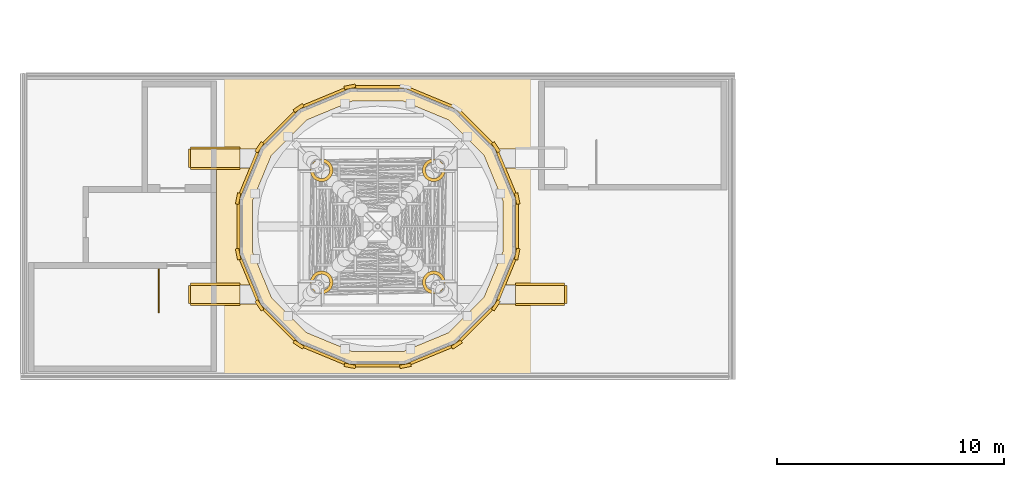
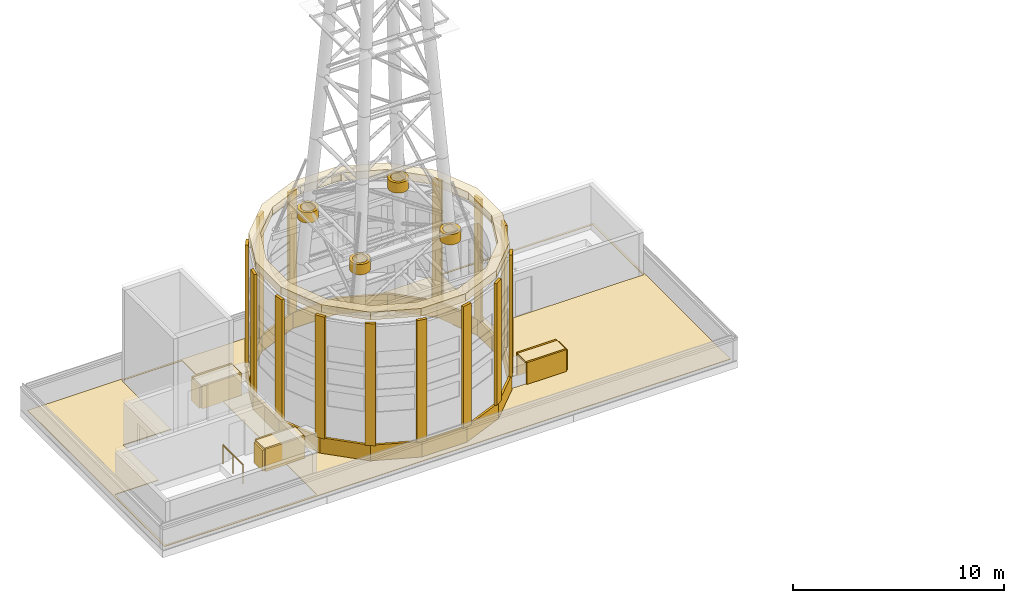
# One storey, part 34 of 36: 34 coverings, 1 railing.
"""IFC4 building model written with IfcOpenShell, lengths in metres."""

from ifc_helpers import new_model, si_unit, direction, frame, origin, origin_2d, place, context, subcontext, project, spatial, polyline, rectangle, circle, outline, extrude, material, layer, layer_set, type_object, element, save


model = new_model("IFC4")

# Units and contexts
model_context = context("Model", 3, precision=1e-05, world=origin(), true_north=direction((0.0, 1.0)))
body_context = subcontext(model_context, "Body", "Model", "MODEL_VIEW")
ifc_project = project(units=[si_unit("LENGTHUNIT", "METRE"), si_unit("AREAUNIT", "SQUARE_METRE"), si_unit("VOLUMEUNIT", "CUBIC_METRE"), si_unit("PLANEANGLEUNIT", "RADIAN"), si_unit("MASSUNIT", "GRAM", prefix="KILO")], contexts=[model_context])

# Site, building, storey
site_placement = place(None, origin())
site = spatial("IfcSite", under=ifc_project, at=site_placement, CompositionType="ELEMENT")
building_placement = place(site_placement, origin())
building = spatial("IfcBuilding", under=site, at=building_placement, Name="Ipe Terrace Towers", CompositionType="ELEMENT")
storey_placement = place(building_placement, frame((0.0, 0.0, 264.89990234375)))
storey = spatial("IfcBuildingStorey", under=building, at=storey_placement, Name="Roof", CompositionType="ELEMENT", Elevation=264.89990234375)

# Coverings
ifc_material_1 = material(Name="Concrete C50/60 precast, buff finish", Category="concrete")
ifc_layer_1 = layer(ifc_material_1, 0.1201171875)
ifc_layer_set_1 = layer_set([ifc_layer_1], Name="DRUM BASE COURSE 120")
covering_type_1 = type_object("IfcCoveringType", Name="DRUM BASE COURSE 120", PredefinedType="CLADDING", material=ifc_layer_set_1)
covering_1_placement = place(storey_placement, frame((0.0, 0.0, 0.0400390625)))
element("IfcCovering", 1, at=covering_1_placement, inside=storey, type_object=covering_type_1, Name="drum stone base course", PredefinedType="CLADDING", context=body_context, shape_type="SweptSolid", body=[
    extrude(outline(polyline([(-29.799072265625, -1.23291015625), (-30.742919921875, -3.512939453125), (-32.487060546875, -5.257080078125), (-34.76708984375, -6.200927734375), (-37.23291015625, -6.200927734375), (-39.512939453125, -5.257080078125), (-41.257080078125, -3.512939453125), (-42.200927734375, -1.23291015625), (-42.200927734375, 1.23291015625), (-41.257080078125, 3.512939453125), (-39.512939453125, 5.257080078125), (-37.23291015625, 6.200927734375), (-34.76708984375, 6.200927734375), (-32.487060546875, 5.257080078125), (-30.742919921875, 3.512939453125), (-29.799072265625, 1.23291015625), (-29.799072265625, -1.23291015625)]), holes=[polyline([(-30.844970703125, 3.445068359375), (-32.554931640625, 5.155029296875), (-34.7900390625, 6.0810546875), (-37.2099609375, 6.0810546875), (-39.445068359375, 5.155029296875), (-41.155029296875, 3.445068359375), (-42.0810546875, 1.2099609375), (-42.0810546875, -1.2099609375), (-41.155029296875, -3.445068359375), (-39.445068359375, -5.155029296875), (-37.2099609375, -6.0810546875), (-34.7900390625, -6.0810546875), (-32.554931640625, -5.155029296875), (-30.844970703125, -3.445068359375), (-29.9189453125, -1.2099609375), (-29.9189453125, 1.2099609375), (-30.844970703125, 3.445068359375)])]), origin(), (0.0, 0.0, 1.0), 0.900146484375),
])
ifc_material_2 = material(Name="Concrete C50/60 precast, buff finish", Category="concrete")
ifc_layer_2 = layer(ifc_material_2, 0.449951171875)
ifc_layer_set_2 = layer_set([ifc_layer_2], Name="DRUM CORNICE 450")
covering_type_2 = type_object("IfcCoveringType", Name="DRUM CORNICE 450", PredefinedType="CLADDING", material=ifc_layer_set_2)
covering_2_placement = place(storey_placement, frame((0.0, 0.0, 8.110107421875)))
element("IfcCovering", 2, at=covering_2_placement, inside=storey, type_object=covering_type_2, Name="drum stone cornice", PredefinedType="CLADDING", context=body_context, shape_type="SweptSolid", body=[
    extrude(outline(polyline([(-29.9189453125, -1.2099609375), (-30.844970703125, -3.445068359375), (-32.554931640625, -5.155029296875), (-34.7900390625, -6.0810546875), (-37.2099609375, -6.0810546875), (-39.445068359375, -5.155029296875), (-41.155029296875, -3.445068359375), (-42.0810546875, -1.2099609375), (-42.0810546875, 1.2099609375), (-41.155029296875, 3.445068359375), (-39.445068359375, 5.155029296875), (-37.2099609375, 6.0810546875), (-34.7900390625, 6.0810546875), (-32.554931640625, 5.155029296875), (-30.844970703125, 3.445068359375), (-29.9189453125, 1.2099609375), (-29.9189453125, -1.2099609375)]), holes=[polyline([(-31.31103515625, 3.133056640625), (-32.866943359375, 4.68896484375), (-34.89990234375, 5.531005859375), (-37.10009765625, 5.531005859375), (-39.133056640625, 4.68896484375), (-40.68896484375, 3.133056640625), (-41.531005859375, 1.10009765625), (-41.531005859375, -1.10009765625), (-40.68896484375, -3.133056640625), (-39.133056640625, -4.68896484375), (-37.10009765625, -5.531005859375), (-34.89990234375, -5.531005859375), (-32.866943359375, -4.68896484375), (-31.31103515625, -3.133056640625), (-30.468994140625, -1.10009765625), (-30.468994140625, 1.10009765625), (-31.31103515625, 3.133056640625)])]), origin(), (0.0, 0.0, 1.0), 0.449951171875),
])
ifc_material_3 = material(Name="Concrete C50/60 precast, buff finish", Category="concrete")
ifc_layer_3 = layer(ifc_material_3, 0.14990234375)
ifc_layer_set_3 = layer_set([ifc_layer_3], Name="DRUM PILASTER 150")
covering_type_3 = type_object("IfcCoveringType", Name="DRUM PILASTER 150", PredefinedType="CLADDING", material=ifc_layer_set_3)
for number, where, z_axis, x_axis, name in (
    (3, (-29.845947265625, 1.22412109375, 0.940185546875), (0.0, 0.0, 1.0), (0.980785280403, 0.195090322016, 0.0), "drum stone pilaster"),
    (4, (-30.782958984375, 3.486083984375, 0.940185546875), (0.0, 0.0, 1.0), (0.831469612303, 0.55557023302, 0.0), "drum stone pilaster"),
    (5, (-37.22412109375, 6.154052734375, 0.940185546875), (0.0, 0.0, 1.0), (-0.195090322016, 0.980785280403, 0.0), "drum stone pilaster"),
    (6, (-39.486083984375, 5.217041015625, 0.940185546875), (0.0, 0.0, 1.0), (-0.55557023302, 0.831469612303, 0.0), "drum stone pilaster"),
    (7, (-41.217041015625, 3.486083984375, 0.940185546875), (0.0, 0.0, 1.0), (-0.831469612303, 0.55557023302, 0.0), "drum stone pilaster"),
    (8, (-42.154052734375, 1.22412109375, 0.940185546875), (0.0, 0.0, 1.0), (-0.980785280403, 0.195090322016, 0.0), "drum stone pilaster"),
    (9, (-42.154052734375, -1.22412109375, 0.940185546875), (0.0, 0.0, 1.0), (-0.980785280403, -0.195090322016, 0.0), "drum stone pilaster"),
    (10, (-41.217041015625, -3.486083984375, 0.940185546875), (0.0, 0.0, 1.0), (-0.831469612303, -0.55557023302, 0.0), "drum stone pilaster"),
    (11, (-39.486083984375, -5.217041015625, 0.940185546875), (0.0, 0.0, 1.0), (-0.55557023302, -0.831469612303, 0.0), "drum stone pilaster"),
    (12, (-37.22412109375, -6.154052734375, 0.940185546875), (0.0, 0.0, 1.0), (-0.195090322016, -0.980785280403, 0.0), "drum stone pilaster"),
    (13, (-34.77587890625, -6.154052734375, 0.940185546875), (0.0, 0.0, 1.0), (0.195090322016, -0.980785280403, 0.0), "drum stone pilaster"),
    (14, (-32.513916015625, -5.217041015625, 0.940185546875), (0.0, 0.0, 1.0), (0.55557023302, -0.831469612303, 0.0), "drum stone pilaster"),
    (15, (-30.782958984375, -3.486083984375, 0.940185546875), (0.0, 0.0, 1.0), (0.831469612303, -0.55557023302, 0.0), "drum stone pilaster"),
    (16, (-29.845947265625, -1.22412109375, 0.940185546875), (0.0, 0.0, 1.0), (0.980785280403, -0.195090322016, 0.0), "drum stone pilaster"),
):
    element("IfcCovering", number, at=place(storey_placement, frame(where, z_axis=z_axis, x_axis=x_axis)), inside=storey, type_object=covering_type_3, Name=name, PredefinedType="CLADDING", context=body_context, shape_type="SweptSolid", body=[
        extrude(rectangle(XDim=0.14990234375, YDim=0.5, at=origin_2d()), origin(), (0.0, 0.0, 1.0), 7.06005859375),
    ])
ifc_material_4 = material(Name="Concrete C50/60 precast, buff finish", Category="concrete")
ifc_layer_4 = layer(ifc_material_4, 0.10009765625)
ifc_layer_set_4 = layer_set([ifc_layer_4], Name="GIRDER CASING 100")
covering_type_4 = type_object("IfcCoveringType", Name="GIRDER CASING 100", PredefinedType="CLADDING", material=ifc_layer_set_4)
covering_3_placement = place(storey_placement, origin())
element("IfcCovering", 17, at=covering_3_placement, inside=storey, type_object=covering_type_4, Name="girder stone casing", PredefinedType="CLADDING", context=body_context, shape_type="SweptSolid", body=[
    extrude(outline(polyline([(-44.25, -3.5), (-42.0810546875, -3.5), (-42.0810546875, -3.39990234375), (-44.25, -3.39990234375), (-44.25, -3.5)])), origin(), (0.0, 0.0, 1.0), 1.300048828125),
])
covering_4_placement = place(storey_placement, origin())
element("IfcCovering", 18, at=covering_4_placement, inside=storey, type_object=covering_type_4, Name="girder stone casing", PredefinedType="CLADDING", context=body_context, shape_type="SweptSolid", body=[
    extrude(outline(polyline([(-44.25, -2.60009765625), (-42.0810546875, -2.60009765625), (-42.0810546875, -2.5), (-44.25, -2.5), (-44.25, -2.60009765625)])), origin(), (0.0, 0.0, 1.0), 1.300048828125),
])
covering_5_placement = place(storey_placement, frame((0.0, 0.0, 1.2001953125)))
element("IfcCovering", 19, at=covering_5_placement, inside=storey, type_object=covering_type_4, Name="girder stone casing", PredefinedType="CLADDING", context=body_context, shape_type="SweptSolid", body=[
    extrude(outline(polyline([(-44.25, -3.39990234375), (-42.0810546875, -3.39990234375), (-42.0810546875, -2.60009765625), (-44.25, -2.60009765625), (-44.25, -3.39990234375)])), origin(), (0.0, 0.0, 1.0), 0.099853515625),
])
covering_6_placement = place(storey_placement, origin())
element("IfcCovering", 20, at=covering_6_placement, inside=storey, type_object=covering_type_4, Name="girder stone casing", PredefinedType="CLADDING", context=body_context, shape_type="SweptSolid", body=[
    extrude(outline(polyline([(-44.35009765625, -3.39990234375), (-44.25, -3.39990234375), (-44.25, -2.60009765625), (-44.35009765625, -2.60009765625), (-44.35009765625, -3.39990234375)])), origin(), (0.0, 0.0, 1.0), 1.2001953125),
])
covering_7_placement = place(storey_placement, origin())
element("IfcCovering", 21, at=covering_7_placement, inside=storey, type_object=covering_type_4, Name="girder stone casing", PredefinedType="CLADDING", context=body_context, shape_type="SweptSolid", body=[
    extrude(outline(polyline([(-29.9189453125, -3.5), (-27.75, -3.5), (-27.75, -3.39990234375), (-29.9189453125, -3.39990234375), (-29.9189453125, -3.5)])), origin(), (0.0, 0.0, 1.0), 1.300048828125),
])
covering_8_placement = place(storey_placement, origin())
element("IfcCovering", 22, at=covering_8_placement, inside=storey, type_object=covering_type_4, Name="girder stone casing", PredefinedType="CLADDING", context=body_context, shape_type="SweptSolid", body=[
    extrude(outline(polyline([(-29.9189453125, -2.60009765625), (-27.75, -2.60009765625), (-27.75, -2.5), (-29.9189453125, -2.5), (-29.9189453125, -2.60009765625)])), origin(), (0.0, 0.0, 1.0), 1.300048828125),
])
covering_9_placement = place(storey_placement, frame((0.0, 0.0, 1.2001953125)))
element("IfcCovering", 23, at=covering_9_placement, inside=storey, type_object=covering_type_4, Name="girder stone casing", PredefinedType="CLADDING", context=body_context, shape_type="SweptSolid", body=[
    extrude(outline(polyline([(-29.9189453125, -3.39990234375), (-27.75, -3.39990234375), (-27.75, -2.60009765625), (-29.9189453125, -2.60009765625), (-29.9189453125, -3.39990234375)])), origin(), (0.0, 0.0, 1.0), 0.099853515625),
])
covering_10_placement = place(storey_placement, origin())
element("IfcCovering", 24, at=covering_10_placement, inside=storey, type_object=covering_type_4, Name="girder stone casing", PredefinedType="CLADDING", context=body_context, shape_type="SweptSolid", body=[
    extrude(outline(polyline([(-27.75, -3.39990234375), (-27.64990234375, -3.39990234375), (-27.64990234375, -2.60009765625), (-27.75, -2.60009765625), (-27.75, -3.39990234375)])), origin(), (0.0, 0.0, 1.0), 1.2001953125),
])
covering_11_placement = place(storey_placement, origin())
element("IfcCovering", 25, at=covering_11_placement, inside=storey, type_object=covering_type_4, Name="girder stone casing", PredefinedType="CLADDING", context=body_context, shape_type="SweptSolid", body=[
    extrude(outline(polyline([(-44.25, 2.5), (-42.0810546875, 2.5), (-42.0810546875, 2.60009765625), (-44.25, 2.60009765625), (-44.25, 2.5)])), origin(), (0.0, 0.0, 1.0), 1.300048828125),
])
covering_12_placement = place(storey_placement, origin())
element("IfcCovering", 26, at=covering_12_placement, inside=storey, type_object=covering_type_4, Name="girder stone casing", PredefinedType="CLADDING", context=body_context, shape_type="SweptSolid", body=[
    extrude(outline(polyline([(-44.25, 3.39990234375), (-42.0810546875, 3.39990234375), (-42.0810546875, 3.5), (-44.25, 3.5), (-44.25, 3.39990234375)])), origin(), (0.0, 0.0, 1.0), 1.300048828125),
])
covering_13_placement = place(storey_placement, frame((0.0, 0.0, 1.2001953125)))
element("IfcCovering", 27, at=covering_13_placement, inside=storey, type_object=covering_type_4, Name="girder stone casing", PredefinedType="CLADDING", context=body_context, shape_type="SweptSolid", body=[
    extrude(outline(polyline([(-44.25, 2.60009765625), (-42.0810546875, 2.60009765625), (-42.0810546875, 3.39990234375), (-44.25, 3.39990234375), (-44.25, 2.60009765625)])), origin(), (0.0, 0.0, 1.0), 0.099853515625),
])
covering_14_placement = place(storey_placement, origin())
element("IfcCovering", 28, at=covering_14_placement, inside=storey, type_object=covering_type_4, Name="girder stone casing", PredefinedType="CLADDING", context=body_context, shape_type="SweptSolid", body=[
    extrude(outline(polyline([(-44.35009765625, 2.60009765625), (-44.25, 2.60009765625), (-44.25, 3.39990234375), (-44.35009765625, 3.39990234375), (-44.35009765625, 2.60009765625)])), origin(), (0.0, 0.0, 1.0), 1.2001953125),
])
ifc_material_5 = material(Name="Concrete C50/60 precast, buff finish", Category="concrete")
ifc_layer_5 = layer(ifc_material_5, 0.139892578125)
ifc_layer_set_5 = layer_set([ifc_layer_5], Name="MAST COLLAR SLEEVE 140")
covering_type_5 = type_object("IfcCoveringType", Name="MAST COLLAR SLEEVE 140", PredefinedType="CLADDING", material=ifc_layer_set_5)
covering_15_placement = place(storey_placement, frame((0.0, 0.0, 9.110107421875)))
element("IfcCovering", 29, at=covering_15_placement, inside=storey, type_object=covering_type_5, Name="mast stone collar", PredefinedType="CLADDING", context=body_context, shape_type="SweptSolid", body=[
    extrude(outline(polyline([(-37.97607421875, -2.537109375), (-37.989013671875, -2.60107421875), (-38.010009765625, -2.6630859375), (-38.0390625, -2.721923828125), (-38.074951171875, -2.77587890625), (-38.117919921875, -2.824951171875), (-38.1669921875, -2.867919921875), (-38.221923828125, -2.905029296875), (-38.280029296875, -2.93408203125), (-38.342041015625, -2.955078125), (-38.406005859375, -2.967041015625), (-38.471923828125, -2.971923828125), (-38.537109375, -2.967041015625), (-38.60107421875, -2.955078125), (-38.6630859375, -2.93408203125), (-38.721923828125, -2.905029296875), (-38.77587890625, -2.867919921875), (-38.824951171875, -2.824951171875), (-38.867919921875, -2.77587890625), (-38.905029296875, -2.721923828125), (-38.93408203125, -2.6630859375), (-38.955078125, -2.60107421875), (-38.967041015625, -2.537109375), (-38.971923828125, -2.471923828125), (-38.967041015625, -2.406005859375), (-38.955078125, -2.342041015625), (-38.93408203125, -2.280029296875), (-38.905029296875, -2.221923828125), (-38.867919921875, -2.1669921875), (-38.824951171875, -2.117919921875), (-38.77587890625, -2.074951171875), (-38.721923828125, -2.0390625), (-38.6630859375, -2.010009765625), (-38.60107421875, -1.989013671875), (-38.537109375, -1.97607421875), (-38.471923828125, -1.971923828125), (-38.406005859375, -1.97607421875), (-38.342041015625, -1.989013671875), (-38.280029296875, -2.010009765625), (-38.221923828125, -2.0390625), (-38.1669921875, -2.074951171875), (-38.117919921875, -2.117919921875), (-38.074951171875, -2.1669921875), (-38.0390625, -2.221923828125), (-38.010009765625, -2.280029296875), (-37.989013671875, -2.342041015625), (-37.97607421875, -2.406005859375), (-37.971923828125, -2.471923828125), (-37.97607421875, -2.537109375)]), holes=[polyline([(-38.114990234375, -2.425048828125), (-38.1240234375, -2.3779296875), (-38.138916015625, -2.333984375), (-38.159912109375, -2.2919921875), (-38.18603515625, -2.2529296875), (-38.217041015625, -2.217041015625), (-38.2529296875, -2.18603515625), (-38.2919921875, -2.159912109375), (-38.333984375, -2.138916015625), (-38.3779296875, -2.1240234375), (-38.425048828125, -2.114990234375), (-38.471923828125, -2.112060546875), (-38.51904296875, -2.114990234375), (-38.56494140625, -2.1240234375), (-38.60888671875, -2.138916015625), (-38.652099609375, -2.159912109375), (-38.69091796875, -2.18603515625), (-38.72607421875, -2.217041015625), (-38.757080078125, -2.2529296875), (-38.782958984375, -2.2919921875), (-38.803955078125, -2.333984375), (-38.819091796875, -2.3779296875), (-38.8291015625, -2.425048828125), (-38.83203125, -2.471923828125), (-38.8291015625, -2.51904296875), (-38.819091796875, -2.56494140625), (-38.803955078125, -2.60888671875), (-38.782958984375, -2.652099609375), (-38.757080078125, -2.69091796875), (-38.72607421875, -2.72607421875), (-38.69091796875, -2.757080078125), (-38.652099609375, -2.782958984375), (-38.60888671875, -2.803955078125), (-38.56494140625, -2.819091796875), (-38.51904296875, -2.8291015625), (-38.471923828125, -2.83203125), (-38.425048828125, -2.8291015625), (-38.3779296875, -2.819091796875), (-38.333984375, -2.803955078125), (-38.2919921875, -2.782958984375), (-38.2529296875, -2.757080078125), (-38.217041015625, -2.72607421875), (-38.18603515625, -2.69091796875), (-38.159912109375, -2.652099609375), (-38.138916015625, -2.60888671875), (-38.1240234375, -2.56494140625), (-38.114990234375, -2.51904296875), (-38.112060546875, -2.471923828125), (-38.114990234375, -2.425048828125)])]), origin(), (0.0, 0.0, 1.0), 0.60009765625),
])
covering_16_placement = place(storey_placement, frame((0.0, 0.0, 9.110107421875)))
element("IfcCovering", 30, at=covering_16_placement, inside=storey, type_object=covering_type_5, Name="mast stone collar", PredefinedType="CLADDING", context=body_context, shape_type="SweptSolid", body=[
    extrude(outline(polyline([(-33.032958984375, -2.537109375), (-33.044921875, -2.60107421875), (-33.06591796875, -2.6630859375), (-33.094970703125, -2.721923828125), (-33.132080078125, -2.77587890625), (-33.175048828125, -2.824951171875), (-33.22412109375, -2.867919921875), (-33.278076171875, -2.905029296875), (-33.3369140625, -2.93408203125), (-33.39892578125, -2.955078125), (-33.462890625, -2.967041015625), (-33.528076171875, -2.971923828125), (-33.593994140625, -2.967041015625), (-33.657958984375, -2.955078125), (-33.719970703125, -2.93408203125), (-33.778076171875, -2.905029296875), (-33.8330078125, -2.867919921875), (-33.882080078125, -2.824951171875), (-33.925048828125, -2.77587890625), (-33.9609375, -2.721923828125), (-33.989990234375, -2.6630859375), (-34.010986328125, -2.60107421875), (-34.02392578125, -2.537109375), (-34.028076171875, -2.471923828125), (-34.02392578125, -2.406005859375), (-34.010986328125, -2.342041015625), (-33.989990234375, -2.280029296875), (-33.9609375, -2.221923828125), (-33.925048828125, -2.1669921875), (-33.882080078125, -2.117919921875), (-33.8330078125, -2.074951171875), (-33.778076171875, -2.0390625), (-33.719970703125, -2.010009765625), (-33.657958984375, -1.989013671875), (-33.593994140625, -1.97607421875), (-33.528076171875, -1.971923828125), (-33.462890625, -1.97607421875), (-33.39892578125, -1.989013671875), (-33.3369140625, -2.010009765625), (-33.278076171875, -2.0390625), (-33.22412109375, -2.074951171875), (-33.175048828125, -2.117919921875), (-33.132080078125, -2.1669921875), (-33.094970703125, -2.221923828125), (-33.06591796875, -2.280029296875), (-33.044921875, -2.342041015625), (-33.032958984375, -2.406005859375), (-33.028076171875, -2.471923828125), (-33.032958984375, -2.537109375)]), holes=[polyline([(-33.1708984375, -2.425048828125), (-33.180908203125, -2.3779296875), (-33.196044921875, -2.333984375), (-33.217041015625, -2.2919921875), (-33.242919921875, -2.2529296875), (-33.27392578125, -2.217041015625), (-33.30908203125, -2.18603515625), (-33.347900390625, -2.159912109375), (-33.39111328125, -2.138916015625), (-33.43505859375, -2.1240234375), (-33.48095703125, -2.114990234375), (-33.528076171875, -2.112060546875), (-33.574951171875, -2.114990234375), (-33.6220703125, -2.1240234375), (-33.666015625, -2.138916015625), (-33.7080078125, -2.159912109375), (-33.7470703125, -2.18603515625), (-33.782958984375, -2.217041015625), (-33.81396484375, -2.2529296875), (-33.840087890625, -2.2919921875), (-33.861083984375, -2.333984375), (-33.8759765625, -2.3779296875), (-33.885009765625, -2.425048828125), (-33.887939453125, -2.471923828125), (-33.885009765625, -2.51904296875), (-33.8759765625, -2.56494140625), (-33.861083984375, -2.60888671875), (-33.840087890625, -2.652099609375), (-33.81396484375, -2.69091796875), (-33.782958984375, -2.72607421875), (-33.7470703125, -2.757080078125), (-33.7080078125, -2.782958984375), (-33.666015625, -2.803955078125), (-33.6220703125, -2.819091796875), (-33.574951171875, -2.8291015625), (-33.528076171875, -2.83203125), (-33.48095703125, -2.8291015625), (-33.43505859375, -2.819091796875), (-33.39111328125, -2.803955078125), (-33.347900390625, -2.782958984375), (-33.30908203125, -2.757080078125), (-33.27392578125, -2.72607421875), (-33.242919921875, -2.69091796875), (-33.217041015625, -2.652099609375), (-33.196044921875, -2.60888671875), (-33.180908203125, -2.56494140625), (-33.1708984375, -2.51904296875), (-33.16796875, -2.471923828125), (-33.1708984375, -2.425048828125)])]), origin(), (0.0, 0.0, 1.0), 0.60009765625),
])
covering_17_placement = place(storey_placement, frame((0.0, 0.0, 9.110107421875)))
element("IfcCovering", 31, at=covering_17_placement, inside=storey, type_object=covering_type_5, Name="mast stone collar", PredefinedType="CLADDING", context=body_context, shape_type="SweptSolid", body=[
    extrude(outline(polyline([(-37.97607421875, 2.406005859375), (-37.989013671875, 2.342041015625), (-38.010009765625, 2.280029296875), (-38.0390625, 2.221923828125), (-38.074951171875, 2.1669921875), (-38.117919921875, 2.117919921875), (-38.1669921875, 2.074951171875), (-38.221923828125, 2.0390625), (-38.280029296875, 2.010009765625), (-38.342041015625, 1.989013671875), (-38.406005859375, 1.97607421875), (-38.471923828125, 1.971923828125), (-38.537109375, 1.97607421875), (-38.60107421875, 1.989013671875), (-38.6630859375, 2.010009765625), (-38.721923828125, 2.0390625), (-38.77587890625, 2.074951171875), (-38.824951171875, 2.117919921875), (-38.867919921875, 2.1669921875), (-38.905029296875, 2.221923828125), (-38.93408203125, 2.280029296875), (-38.955078125, 2.342041015625), (-38.967041015625, 2.406005859375), (-38.971923828125, 2.471923828125), (-38.967041015625, 2.537109375), (-38.955078125, 2.60107421875), (-38.93408203125, 2.6630859375), (-38.905029296875, 2.721923828125), (-38.867919921875, 2.77587890625), (-38.824951171875, 2.824951171875), (-38.77587890625, 2.867919921875), (-38.721923828125, 2.905029296875), (-38.6630859375, 2.93408203125), (-38.60107421875, 2.955078125), (-38.537109375, 2.967041015625), (-38.471923828125, 2.971923828125), (-38.406005859375, 2.967041015625), (-38.342041015625, 2.955078125), (-38.280029296875, 2.93408203125), (-38.221923828125, 2.905029296875), (-38.1669921875, 2.867919921875), (-38.117919921875, 2.824951171875), (-38.074951171875, 2.77587890625), (-38.0390625, 2.721923828125), (-38.010009765625, 2.6630859375), (-37.989013671875, 2.60107421875), (-37.97607421875, 2.537109375), (-37.971923828125, 2.471923828125), (-37.97607421875, 2.406005859375)]), holes=[polyline([(-38.114990234375, 2.51904296875), (-38.1240234375, 2.56494140625), (-38.138916015625, 2.60888671875), (-38.159912109375, 2.652099609375), (-38.18603515625, 2.69091796875), (-38.217041015625, 2.72607421875), (-38.2529296875, 2.757080078125), (-38.2919921875, 2.782958984375), (-38.333984375, 2.803955078125), (-38.3779296875, 2.819091796875), (-38.425048828125, 2.8291015625), (-38.471923828125, 2.83203125), (-38.51904296875, 2.8291015625), (-38.56494140625, 2.819091796875), (-38.60888671875, 2.803955078125), (-38.652099609375, 2.782958984375), (-38.69091796875, 2.757080078125), (-38.72607421875, 2.72607421875), (-38.757080078125, 2.69091796875), (-38.782958984375, 2.652099609375), (-38.803955078125, 2.60888671875), (-38.819091796875, 2.56494140625), (-38.8291015625, 2.51904296875), (-38.83203125, 2.471923828125), (-38.8291015625, 2.425048828125), (-38.819091796875, 2.3779296875), (-38.803955078125, 2.333984375), (-38.782958984375, 2.2919921875), (-38.757080078125, 2.2529296875), (-38.72607421875, 2.217041015625), (-38.69091796875, 2.18603515625), (-38.652099609375, 2.159912109375), (-38.60888671875, 2.138916015625), (-38.56494140625, 2.1240234375), (-38.51904296875, 2.114990234375), (-38.471923828125, 2.112060546875), (-38.425048828125, 2.114990234375), (-38.3779296875, 2.1240234375), (-38.333984375, 2.138916015625), (-38.2919921875, 2.159912109375), (-38.2529296875, 2.18603515625), (-38.217041015625, 2.217041015625), (-38.18603515625, 2.2529296875), (-38.159912109375, 2.2919921875), (-38.138916015625, 2.333984375), (-38.1240234375, 2.3779296875), (-38.114990234375, 2.425048828125), (-38.112060546875, 2.471923828125), (-38.114990234375, 2.51904296875)])]), origin(), (0.0, 0.0, 1.0), 0.60009765625),
])
covering_18_placement = place(storey_placement, frame((0.0, 0.0, 9.110107421875)))
element("IfcCovering", 32, at=covering_18_placement, inside=storey, type_object=covering_type_5, Name="mast stone collar", PredefinedType="CLADDING", context=body_context, shape_type="SweptSolid", body=[
    extrude(outline(polyline([(-33.032958984375, 2.406005859375), (-33.044921875, 2.342041015625), (-33.06591796875, 2.280029296875), (-33.094970703125, 2.221923828125), (-33.132080078125, 2.1669921875), (-33.175048828125, 2.117919921875), (-33.22412109375, 2.074951171875), (-33.278076171875, 2.0390625), (-33.3369140625, 2.010009765625), (-33.39892578125, 1.989013671875), (-33.462890625, 1.97607421875), (-33.528076171875, 1.971923828125), (-33.593994140625, 1.97607421875), (-33.657958984375, 1.989013671875), (-33.719970703125, 2.010009765625), (-33.778076171875, 2.0390625), (-33.8330078125, 2.074951171875), (-33.882080078125, 2.117919921875), (-33.925048828125, 2.1669921875), (-33.9609375, 2.221923828125), (-33.989990234375, 2.280029296875), (-34.010986328125, 2.342041015625), (-34.02392578125, 2.406005859375), (-34.028076171875, 2.471923828125), (-34.02392578125, 2.537109375), (-34.010986328125, 2.60107421875), (-33.989990234375, 2.6630859375), (-33.9609375, 2.721923828125), (-33.925048828125, 2.77587890625), (-33.882080078125, 2.824951171875), (-33.8330078125, 2.867919921875), (-33.778076171875, 2.905029296875), (-33.719970703125, 2.93408203125), (-33.657958984375, 2.955078125), (-33.593994140625, 2.967041015625), (-33.528076171875, 2.971923828125), (-33.462890625, 2.967041015625), (-33.39892578125, 2.955078125), (-33.3369140625, 2.93408203125), (-33.278076171875, 2.905029296875), (-33.22412109375, 2.867919921875), (-33.175048828125, 2.824951171875), (-33.132080078125, 2.77587890625), (-33.094970703125, 2.721923828125), (-33.06591796875, 2.6630859375), (-33.044921875, 2.60107421875), (-33.032958984375, 2.537109375), (-33.028076171875, 2.471923828125), (-33.032958984375, 2.406005859375)]), holes=[polyline([(-33.1708984375, 2.51904296875), (-33.180908203125, 2.56494140625), (-33.196044921875, 2.60888671875), (-33.217041015625, 2.652099609375), (-33.242919921875, 2.69091796875), (-33.27392578125, 2.72607421875), (-33.30908203125, 2.757080078125), (-33.347900390625, 2.782958984375), (-33.39111328125, 2.803955078125), (-33.43505859375, 2.819091796875), (-33.48095703125, 2.8291015625), (-33.528076171875, 2.83203125), (-33.574951171875, 2.8291015625), (-33.6220703125, 2.819091796875), (-33.666015625, 2.803955078125), (-33.7080078125, 2.782958984375), (-33.7470703125, 2.757080078125), (-33.782958984375, 2.72607421875), (-33.81396484375, 2.69091796875), (-33.840087890625, 2.652099609375), (-33.861083984375, 2.60888671875), (-33.8759765625, 2.56494140625), (-33.885009765625, 2.51904296875), (-33.887939453125, 2.471923828125), (-33.885009765625, 2.425048828125), (-33.8759765625, 2.3779296875), (-33.861083984375, 2.333984375), (-33.840087890625, 2.2919921875), (-33.81396484375, 2.2529296875), (-33.782958984375, 2.217041015625), (-33.7470703125, 2.18603515625), (-33.7080078125, 2.159912109375), (-33.666015625, 2.138916015625), (-33.6220703125, 2.1240234375), (-33.574951171875, 2.114990234375), (-33.528076171875, 2.112060546875), (-33.48095703125, 2.114990234375), (-33.43505859375, 2.1240234375), (-33.39111328125, 2.138916015625), (-33.347900390625, 2.159912109375), (-33.30908203125, 2.18603515625), (-33.27392578125, 2.217041015625), (-33.242919921875, 2.2529296875), (-33.217041015625, 2.2919921875), (-33.196044921875, 2.333984375), (-33.180908203125, 2.3779296875), (-33.1708984375, 2.425048828125), (-33.16796875, 2.471923828125), (-33.1708984375, 2.51904296875)])]), origin(), (0.0, 0.0, 1.0), 0.60009765625),
])
ifc_material_6 = material(Name="Bitumen membrane roofing")
ifc_layer_6 = layer(ifc_material_6, 0.0400390625)
ifc_layer_set_6 = layer_set([ifc_layer_6], Name="ROOFING MEMBRANE 40")
covering_type_6 = type_object("IfcCoveringType", Name="ROOFING MEMBRANE 40", PredefinedType="ROOFING", material=ifc_layer_set_6)
covering_19_placement = place(storey_placement, origin())
element("IfcCovering", 33, at=covering_19_placement, inside=storey, type_object=covering_type_6, Name="T1 roofing", PredefinedType="ROOFING", context=body_context, shape_type="SweptSolid", body=[
    extrude(outline(polyline([(-20.5, -6.5), (-51.5, -6.5), (-51.5, 6.5), (-20.5, 6.5), (-20.5, -6.5)]), holes=[polyline([(-34.7900390625, 6.0810546875), (-37.2099609375, 6.0810546875), (-39.445068359375, 5.155029296875), (-41.155029296875, 3.445068359375), (-41.1650390625, 3.419921875), (-43.10009765625, 3.419921875), (-43.10009765625, 6.39990234375), (-46.39990234375, 6.39990234375), (-46.39990234375, 1.75), (-49.0, 1.75), (-49.0, 1.5), (-49.0, -1.60009765625), (-51.39990234375, -1.60009765625), (-51.39990234375, -6.39990234375), (-43.10009765625, -6.39990234375), (-43.10009765625, -3.419921875), (-41.1650390625, -3.419921875), (-41.155029296875, -3.445068359375), (-39.445068359375, -5.155029296875), (-37.2099609375, -6.0810546875), (-34.7900390625, -6.0810546875), (-32.554931640625, -5.155029296875), (-30.844970703125, -3.445068359375), (-30.8349609375, -3.419921875), (-27.75, -3.419921875), (-27.748046875, -3.419921875), (-27.74609375, -3.419921875), (-27.743896484375, -3.4189453125), (-27.741943359375, -3.41796875), (-27.740966796875, -3.41796875), (-27.739013671875, -3.4169921875), (-27.737060546875, -3.4150390625), (-27.736083984375, -3.4140625), (-27.735107421875, -3.4130859375), (-27.73291015625, -3.410888671875), (-27.73193359375, -3.408935546875), (-27.73193359375, -3.407958984375), (-27.73095703125, -3.406005859375), (-27.72998046875, -3.404052734375), (-27.72998046875, -3.402099609375), (-27.72998046875, -3.39990234375), (-27.72998046875, -2.60009765625), (-27.72998046875, -2.597900390625), (-27.72998046875, -2.595947265625), (-27.73095703125, -2.593994140625), (-27.73193359375, -2.592041015625), (-27.73193359375, -2.591064453125), (-27.73291015625, -2.589111328125), (-27.735107421875, -2.5869140625), (-27.736083984375, -2.5859375), (-27.737060546875, -2.5849609375), (-27.739013671875, -2.5830078125), (-27.740966796875, -2.58203125), (-27.741943359375, -2.58203125), (-27.743896484375, -2.5810546875), (-27.74609375, -2.580078125), (-27.748046875, -2.580078125), (-27.75, -2.580078125), (-30.487060546875, -2.580078125), (-29.9189453125, -1.2099609375), (-29.9189453125, 1.2099609375), (-30.487060546875, 2.580078125), (-28.89990234375, 2.580078125), (-28.89990234375, 1.60009765625), (-20.60009765625, 1.60009765625), (-20.60009765625, 6.39990234375), (-28.89990234375, 6.39990234375), (-28.89990234375, 3.419921875), (-30.8349609375, 3.419921875), (-30.844970703125, 3.445068359375), (-32.554931640625, 5.155029296875), (-34.7900390625, 6.0810546875)])]), origin(), (0.0, 0.0, 1.0), 0.0400390625),
])
covering_20_placement = place(storey_placement, origin())
element("IfcCovering", 34, at=covering_20_placement, inside=storey, type_object=covering_type_6, Name="T1 roofing", PredefinedType="ROOFING", context=body_context, shape_type="SweptSolid", body=[
    extrude(outline(polyline([(-41.512939453125, 2.580078125), (-42.0810546875, 1.2099609375), (-42.0810546875, -1.2099609375), (-41.512939453125, -2.580078125), (-43.10009765625, -2.580078125), (-43.10009765625, -1.60009765625), (-43.10009765625, 1.5), (-43.10009765625, 2.580078125), (-41.512939453125, 2.580078125)])), origin(), (0.0, 0.0, 1.0), 0.0400390625),
])

# Railing
ifc_material_7 = material(Name="Steel S355", Category="steel")
railing_type = type_object("IfcRailingType", Name="Stair guard 1100", PredefinedType="GUARDRAIL", material=ifc_material_7)
railing_placement = place(storey_placement, frame((-45.64990234375, -1.89990234375, 0.0)))
element("IfcRailing", 35, at=railing_placement, inside=storey, type_object=railing_type, Name="Roof T1-ST2 top well guard 1", PredefinedType="GUARDRAIL", context=body_context, shape_type="SweptSolid", body=[
    extrude(circle(Radius=0.02392578125, at=origin_2d()), frame((0.0, 0.0, 1.076171875), z_axis=(0.0, -1.0, 0.0), x_axis=(1.0, 0.0, 0.0)), (0.0, 0.0, 1.0), 1.900146484375),
    extrude(circle(Radius=0.02099609375, at=origin_2d()), origin(), (0.0, 0.0, 1.0), 1.052001953125),
    extrude(circle(Radius=0.02099609375, at=origin_2d()), frame((0.0, -0.9501953125, 0.0)), (0.0, 0.0, 1.0), 1.052001953125),
    extrude(circle(Radius=0.02099609375, at=origin_2d()), frame((0.0, -1.900146484375, 0.0)), (0.0, 0.0, 1.0), 1.052001953125),
])

save(model, "model.ifc")
